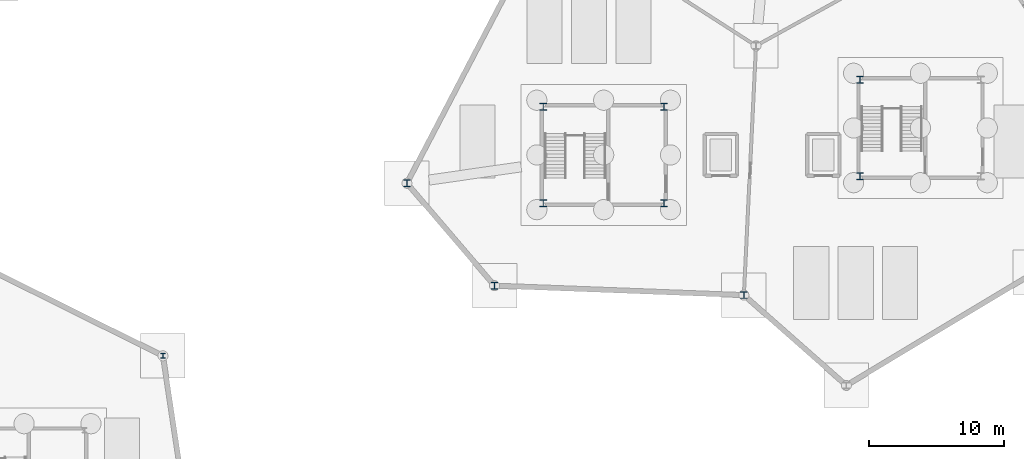
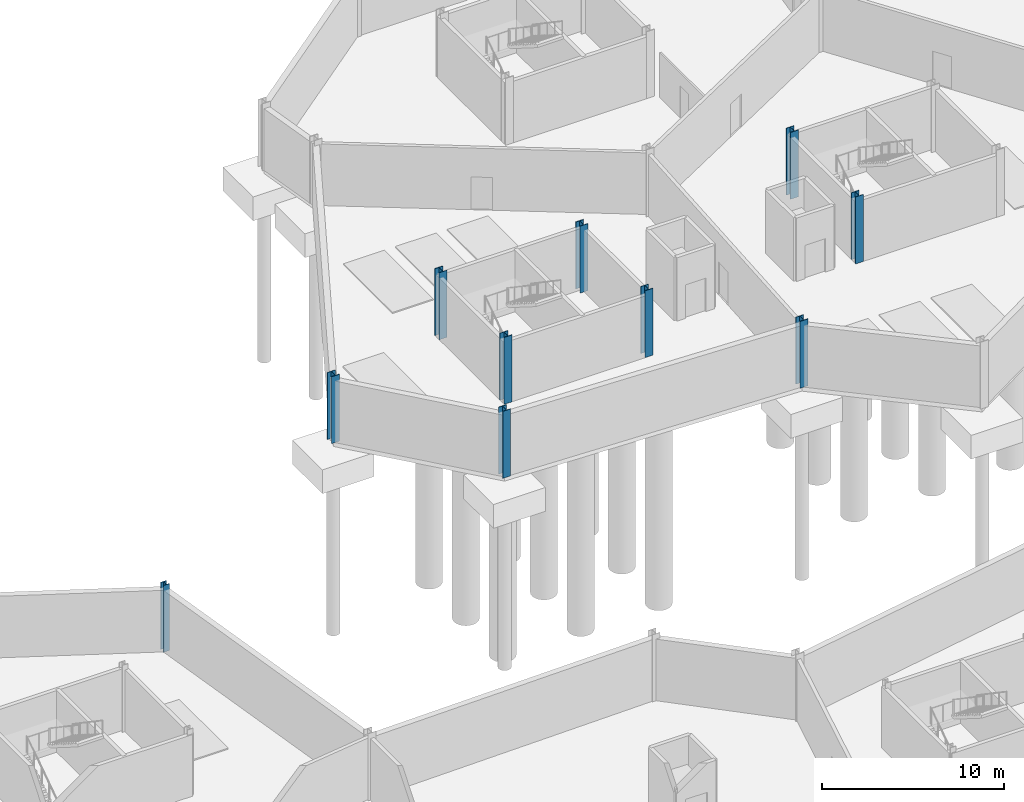
# One storey, part 18 of 37: 10 columns.
"""IFC4 building model written with IfcOpenShell, lengths in metres."""

from ifc_helpers import new_model, si_unit, direction, frame, origin, origin_2d, place, context, subcontext, project, spatial, i_section, extrude, material, material_profile, profile_set, type_object, element, save


model = new_model("IFC4")

# Units and contexts
model_context = context("Model", 3, precision=1e-05, world=origin(), true_north=direction((0.0, 1.0)))
body_context = subcontext(model_context, "Body", "Model", "MODEL_VIEW")
ifc_project = project(units=[si_unit("LENGTHUNIT", "METRE"), si_unit("AREAUNIT", "SQUARE_METRE"), si_unit("VOLUMEUNIT", "CUBIC_METRE"), si_unit("PLANEANGLEUNIT", "RADIAN"), si_unit("MASSUNIT", "GRAM", prefix="KILO")], contexts=[model_context])

# Site, building, storey
site_placement = place(None, origin())
site = spatial("IfcSite", under=ifc_project, at=site_placement, CompositionType="ELEMENT")
building_placement = place(site_placement, origin())
building = spatial("IfcBuilding", under=site, at=building_placement, Name="Tameran Prism Museum", CompositionType="ELEMENT")
storey_placement = place(building_placement, frame((0.0, 0.0, -4.5)))
storey = spatial("IfcBuildingStorey", under=building, at=storey_placement, Name="B1", CompositionType="ELEMENT", Elevation=-4.5)

# Columns
ifc_material_1 = material(Name="Steel Grade 350 (350 MPa)", Category="steel")
ifc_material_profile_1 = material_profile(ifc_material_1, i_section(OverallWidth=0.35009765625, OverallDepth=0.35009765625, WebThickness=0.02001953125, FlangeThickness=0.028076171875, at=origin_2d()))
ifc_profile_set_1 = profile_set([ifc_material_profile_1])
column_type_1 = type_object("IfcColumnType", Name="COL-WC350", PredefinedType="COLUMN", material=ifc_profile_set_1)
column_placement = place(storey_placement, frame((74.800048828125, 66.10009765625, 0.0), z_axis=(0.0, 0.0, 1.0), x_axis=(1.0, 0.0, 0.0)))
element("IfcColumn", 1, at=column_placement, inside=storey, type_object=column_type_1, Name="Column CV-33 B1", PredefinedType="COLUMN", context=body_context, shape_type="SweptSolid", body=[
    extrude(i_section(OverallWidth=0.35009765625, OverallDepth=0.35009765625, WebThickness=0.02001953125, FlangeThickness=0.028076171875, at=origin_2d()), origin(), (0.0, 0.0, 1.0), 4.5),
])
ifc_material_2 = material(Name="Steel Grade 350 (350 MPa)", Category="steel")
ifc_material_profile_2 = material_profile(ifc_material_2, i_section(OverallWidth=0.5, OverallDepth=0.5, WebThickness=0.02197265625, FlangeThickness=0.035888671875, at=origin_2d()))
ifc_profile_set_2 = profile_set([ifc_material_profile_2])
column_type_2 = type_object("IfcColumnType", Name="COL-WC500", PredefinedType="COLUMN", material=ifc_profile_set_2)
for number, where, z_axis, x_axis, name in (
    (2, (92.89990234375, 78.89990234375, 0.0), (0.0, 0.0, 1.0), (1.0, 0.0, 0.0), "Column CV-37 B1"),
    (3, (99.39990234375, 71.300048828125, 0.0), (0.0, 0.0, 1.0), (1.0, 0.0, 0.0), "Column CV-40 B1"),
    (4, (117.89990234375, 70.60009765625, 0.0), (0.0, 0.0, 1.0), (1.0, 0.0, 0.0), "Column CV-46 B1"),
    (5, (103.02001953125, 77.419921875, 0.0), (0.0, 0.0, 1.0), (1.0, 0.0, 0.0), "Column CC-1-1 B1"),
    (6, (111.97998046875, 77.419921875, 0.0), (0.0, 0.0, 1.0), (1.0, 0.0, 0.0), "Column CC-1-2 B1"),
    (7, (111.97998046875, 84.580078125, 0.0), (0.0, 0.0, 1.0), (1.0, 0.0, 0.0), "Column CC-1-3 B1"),
    (8, (103.02001953125, 84.580078125, 0.0), (0.0, 0.0, 1.0), (1.0, 0.0, 0.0), "Column CC-1-4 B1"),
    (9, (126.52001953125, 79.419921875, 0.0), (0.0, 0.0, 1.0), (1.0, 0.0, 0.0), "Column CC-2-1 B1"),
    (10, (126.52001953125, 86.580078125, 0.0), (0.0, 0.0, 1.0), (1.0, 0.0, 0.0), "Column CC-2-4 B1"),
):
    element("IfcColumn", number, at=place(storey_placement, frame(where, z_axis=z_axis, x_axis=x_axis)), inside=storey, type_object=column_type_2, Name=name, PredefinedType="COLUMN", context=body_context, shape_type="SweptSolid", body=[
        extrude(i_section(OverallWidth=0.5, OverallDepth=0.5, WebThickness=0.02197265625, FlangeThickness=0.035888671875, at=origin_2d()), origin(), (0.0, 0.0, 1.0), 4.5),
    ])

save(model, "model.ifc")
